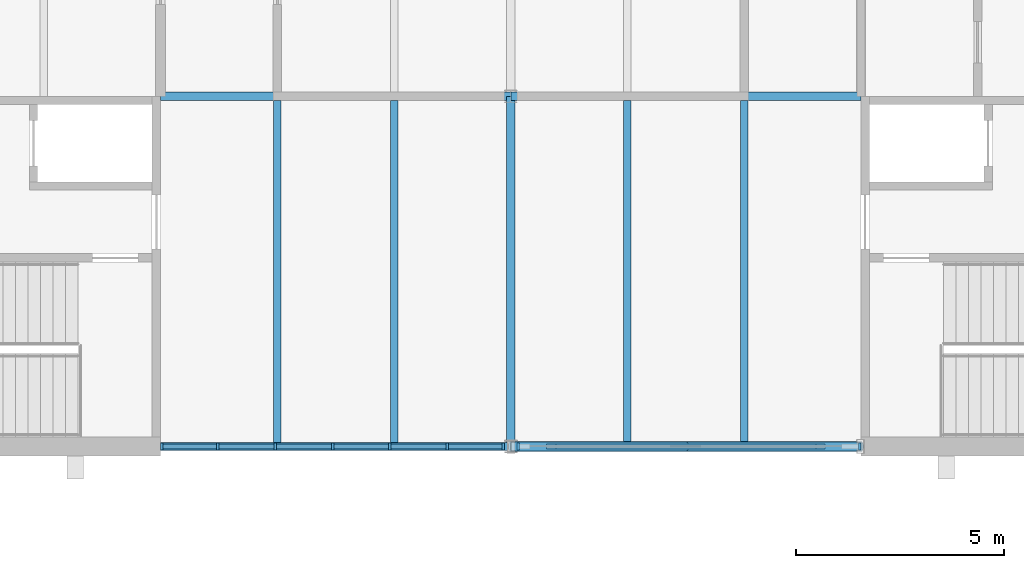
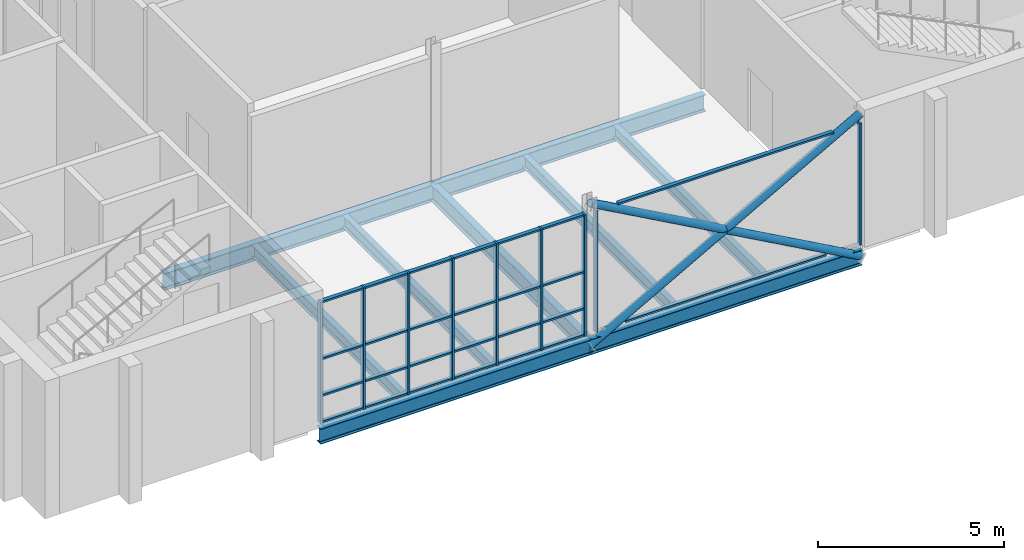
# One storey, part 13 of 129: 38 members, 9 beams, 2 elements without a shape of their own.
"""IFC4 building model written with IfcOpenShell, lengths in metres."""

from ifc_helpers import new_model, si_unit, direction, frame, origin, origin_2d, place, context, subcontext, project, spatial, rectangle, hollow_circle, i_section, extrude, material, layer, layer_set, material_profile, profile_set, type_object, element, aggregate, save


model = new_model("IFC4")

# Units and contexts
model_context = context("Model", 3, precision=1e-05, world=origin(), true_north=direction((0.0, 1.0)))
body_context = subcontext(model_context, "Body", "Model", "MODEL_VIEW")
ifc_project = project(units=[si_unit("LENGTHUNIT", "METRE"), si_unit("AREAUNIT", "SQUARE_METRE"), si_unit("VOLUMEUNIT", "CUBIC_METRE"), si_unit("PLANEANGLEUNIT", "RADIAN"), si_unit("MASSUNIT", "GRAM", prefix="KILO")], contexts=[model_context])

# Site, building, storey
site_placement = place(None, origin())
site = spatial("IfcSite", under=ifc_project, at=site_placement, CompositionType="ELEMENT")
building_placement = place(site_placement, origin())
building = spatial("IfcBuilding", under=site, at=building_placement, Name="Ardhachandra Cancer Care Centre", CompositionType="ELEMENT")
storey_placement = place(building_placement, frame((0.0, 0.0, 4.5)))
storey = spatial("IfcBuildingStorey", under=building, at=storey_placement, Name="L01", CompositionType="ELEMENT", Elevation=4.5)

# Beams
ifc_material_1 = material(Name="Steel E350 (IS 2062)", Category="steel")
ifc_material_profile_1 = material_profile(ifc_material_1, i_section(OverallWidth=0.179931640625, OverallDepth=0.39990234375, WebThickness=0.008544921875, FlangeThickness=0.013427734375, FilletRadius=0.02099609375, at=origin_2d()), Name="NPB 400x180x66.30")
ifc_profile_set_1 = profile_set([ifc_material_profile_1], Name="Steel E350 (IS 2062)")
beam_type_1 = type_object("IfcBeamType", Name="Beam NPB 400x180x66.30", PredefinedType="BEAM", material=ifc_profile_set_1)
for number, where, z_axis, x_axis, name in (
    (1, (22.0, 29.5, -0.35009765625), (0.0, 1.0, 0.0), (-1.0, 0.0, 0.0), "Secondary C2-D2@2800"),
    (2, (24.800048828125, 29.5, -0.35009765625), (0.0, 1.0, 0.0), (-1.0, 0.0, 0.0), "Secondary C2-D2@5600"),
    (3, (30.39990234375, 29.5, -0.35009765625), (0.0, 1.0, 0.0), (-1.0, 0.0, 0.0), "Secondary C3-D3@2800"),
    (4, (33.199951171875, 29.5, -0.35009765625), (0.0, 1.0, 0.0), (-1.0, 0.0, 0.0), "Secondary C3-D3@5600"),
):
    element("IfcBeam", number, at=place(storey_placement, frame(where, z_axis=z_axis, x_axis=x_axis)), inside=storey, type_object=beam_type_1, Name=name, PredefinedType="BEAM", context=body_context, shape_type="SweptSolid", body=[
        extrude(i_section(OverallWidth=0.179931640625, OverallDepth=0.39990234375, WebThickness=0.008544921875, FlangeThickness=0.013427734375, FilletRadius=0.02099609375, at=origin_2d()), origin(), (0.0, 0.0, 1.0), 8.195068359375),
    ])
ifc_material_2 = material(Name="Steel E350 (IS 2062)", Category="steel")
ifc_material_profile_2 = material_profile(ifc_material_2, i_section(OverallWidth=0.199951171875, OverallDepth=0.5, WebThickness=0.01025390625, FlangeThickness=0.01611328125, FilletRadius=0.02099609375, at=origin_2d()), Name="NPB 500x200x90.68")
ifc_profile_set_2 = profile_set([ifc_material_profile_2], Name="Steel E350 (IS 2062)")
beam_type_2 = type_object("IfcBeamType", Name="Beam NPB 500x200x90.68", PredefinedType="BEAM", material=ifc_profile_set_2)
beam_1_placement = place(storey_placement, frame((19.199951171875, 29.39990234375, -0.39990234375), z_axis=(1.0, 0.0, 0.0), x_axis=(0.0, 1.0, 0.0)))
element("IfcBeam", 5, at=beam_1_placement, inside=storey, type_object=beam_type_2, Name="Edge girder C2-C3", PredefinedType="BEAM", context=body_context, shape_type="SweptSolid", body=[
    extrude(i_section(OverallWidth=0.199951171875, OverallDepth=0.5, WebThickness=0.01025390625, FlangeThickness=0.01611328125, FilletRadius=0.02099609375, at=origin_2d()), origin(), (0.0, 0.0, 1.0), 8.400146484375),
])
beam_2_placement = place(storey_placement, frame((27.60009765625, 29.39990234375, -0.39990234375), z_axis=(1.0, 0.0, 0.0), x_axis=(0.0, 1.0, 0.0)))
element("IfcBeam", 6, at=beam_2_placement, inside=storey, type_object=beam_type_2, Name="Edge girder C3-C4", PredefinedType="BEAM", context=body_context, shape_type="SweptSolid", body=[
    extrude(i_section(OverallWidth=0.199951171875, OverallDepth=0.5, WebThickness=0.01025390625, FlangeThickness=0.01611328125, FilletRadius=0.02099609375, at=origin_2d()), origin(), (0.0, 0.0, 1.0), 8.39990234375),
])
ifc_material_3 = material(Name="Steel E350 (IS 2062)", Category="steel")
ifc_material_profile_3 = material_profile(ifc_material_3, i_section(OverallWidth=0.2099609375, OverallDepth=0.550048828125, WebThickness=0.010986328125, FlangeThickness=0.01708984375, FilletRadius=0.02392578125, at=origin_2d()), Name="NPB 550x210x105.52")
ifc_profile_set_3 = profile_set([ifc_material_profile_3], Name="Steel E350 (IS 2062)")
beam_type_3 = type_object("IfcBeamType", Name="Beam NPB 550x210x105.52", PredefinedType="BEAM", material=ifc_profile_set_3)
beam_3_placement = place(storey_placement, frame((19.199951171875, 37.800048828125, -0.425048828125), z_axis=(1.0, 0.0, 0.0), x_axis=(0.0, 1.0, 0.0)))
element("IfcBeam", 7, at=beam_3_placement, inside=storey, type_object=beam_type_3, Name="Girder D2-D3", PredefinedType="BEAM", context=body_context, shape_type="SweptSolid", body=[
    extrude(i_section(OverallWidth=0.2099609375, OverallDepth=0.550048828125, WebThickness=0.010986328125, FlangeThickness=0.01708984375, FilletRadius=0.02392578125, at=origin_2d()), origin(), (0.0, 0.0, 1.0), 8.400146484375),
])
beam_4_placement = place(storey_placement, frame((27.60009765625, 37.800048828125, -0.425048828125), z_axis=(1.0, 0.0, 0.0), x_axis=(0.0, 1.0, 0.0)))
element("IfcBeam", 8, at=beam_4_placement, inside=storey, type_object=beam_type_3, Name="Girder D3-D4", PredefinedType="BEAM", context=body_context, shape_type="SweptSolid", body=[
    extrude(i_section(OverallWidth=0.2099609375, OverallDepth=0.550048828125, WebThickness=0.010986328125, FlangeThickness=0.01708984375, FilletRadius=0.02392578125, at=origin_2d()), origin(), (0.0, 0.0, 1.0), 8.39990234375),
])
beam_5_placement = place(storey_placement, frame((27.60009765625, 29.39990234375, -0.425048828125), z_axis=(0.0, 1.0, 0.0), x_axis=(-1.0, 0.0, 0.0)))
element("IfcBeam", 9, at=beam_5_placement, inside=storey, type_object=beam_type_3, Name="Girder C3-D3", PredefinedType="BEAM", context=body_context, shape_type="SweptSolid", body=[
    extrude(i_section(OverallWidth=0.2099609375, OverallDepth=0.550048828125, WebThickness=0.010986328125, FlangeThickness=0.01708984375, FilletRadius=0.02392578125, at=origin_2d()), origin(), (0.0, 0.0, 1.0), 8.400146484375),
])

# Members
ifc_material_4 = material(Name="Steel E350 (IS 2062)", Category="steel")
ifc_material_profile_4 = material_profile(ifc_material_4, hollow_circle(Radius=0.122314453125, WallThickness=0.010009765625, at=origin_2d()), Name="CHS 244.5x10.0")
ifc_profile_set_4 = profile_set([ifc_material_profile_4], Name="Steel E350 (IS 2062)")
member_type_1 = type_object("IfcMemberType", Name="Brace CHS 244.5x10.0", PredefinedType="BRACE", material=ifc_profile_set_4)
member_1_placement = place(storey_placement, frame((27.60009765625, 29.39990234375, -0.39990234375), z_axis=(0.873924738754, 0.0, 0.486061262594), x_axis=(0.0, 1.0, 0.0)))
element("IfcMember", 10, at=member_1_placement, inside=storey, type_object=member_type_1, Name="Brace V2-X294-276 L01 A", PredefinedType="BRACE", context=body_context, shape_type="SweptSolid", body=[
    extrude(hollow_circle(Radius=0.122314453125, WallThickness=0.010009765625, at=origin_2d()), origin(), (0.0, 0.0, 1.0), 9.61181640625),
])
for number, where, z_axis, x_axis, name in (
    (11, (36.0, 29.39990234375, -0.39990234375), (-0.873924738754, 0.0, 0.486061262594), (0.0, -1.0, 0.0), "Brace V2-X294-276 L01 B1"),
    (12, (31.800048828125, 29.39990234375, 1.93603515625), (-0.873924738754, 0.0, 0.486061262594), (0.0, -1.0, 0.0), "Brace V2-X294-276 L01 B2"),
):
    element("IfcMember", number, at=place(storey_placement, frame(where, z_axis=z_axis, x_axis=x_axis)), inside=storey, type_object=member_type_1, Name=name, PredefinedType="BRACE", context=body_context, shape_type="SweptSolid", body=[
        extrude(hollow_circle(Radius=0.122314453125, WallThickness=0.010009765625, at=origin_2d()), origin(), (0.0, 0.0, 1.0), 4.805908203125),
    ])

# Curtain wall, members
ifc_material_5 = material(Name="Aluminium extrusion", Category="aluminium")
ifc_layer = layer(ifc_material_5, 0.14990234375)
ifc_layer_set = layer_set([ifc_layer], Name="Aluminium extrusion")
curtain_wall_type = type_object("IfcCurtainWallType", Name="Curtain wall run", PredefinedType="NOTDEFINED", material=ifc_layer_set)
curtain_wall_1_placement = place(storey_placement, origin())
curtain_wall_1 = element("IfcCurtainWall", 13, at=curtain_wall_1_placement, inside=storey, type_object=curtain_wall_type, Name="Curtain wall L01 s/0019200_0029400", PredefinedType="NOTDEFINED")
ifc_material_6 = material(Name="Aluminium extrusion", Category="aluminium")
ifc_material_profile_5 = material_profile(ifc_material_6, rectangle(XDim=0.159912109375, YDim=0.06005859375, at=origin_2d()), Name="Curtain wall mullion 60 x 160")
ifc_profile_set_5 = profile_set([ifc_material_profile_5], Name="Aluminium extrusion")
member_type_2 = type_object("IfcMemberType", Name="Curtain wall mullion 60 x 160", PredefinedType="MULLION", material=ifc_profile_set_5)
member_2_placement = place(storey_placement, frame((19.22998046875, 29.39990234375, 0.0), z_axis=(0.0, 0.0, 1.0), x_axis=(0.0, 1.0, 0.0)))
member_2 = element("IfcMember", 14, at=member_2_placement, type_object=member_type_2, Name="CW mullion 1", PredefinedType="MULLION", context=body_context, shape_type="SweptSolid", body=[
    extrude(rectangle(XDim=0.159912109375, YDim=0.06005859375, at=origin_2d()), origin(), (0.0, 0.0, 1.0), 3.993896484375),
])
member_3_placement = place(storey_placement, frame((20.574951171875, 29.39990234375, 0.0), z_axis=(0.0, 0.0, 1.0), x_axis=(0.0, 1.0, 0.0)))
member_3 = element("IfcMember", 15, at=member_3_placement, type_object=member_type_2, Name="CW mullion 2", PredefinedType="MULLION", context=body_context, shape_type="SweptSolid", body=[
    extrude(rectangle(XDim=0.159912109375, YDim=0.06005859375, at=origin_2d()), origin(), (0.0, 0.0, 1.0), 3.993896484375),
])
member_4_placement = place(storey_placement, frame((21.949951171875, 29.39990234375, 0.0), z_axis=(0.0, 0.0, 1.0), x_axis=(0.0, 1.0, 0.0)))
member_4 = element("IfcMember", 16, at=member_4_placement, type_object=member_type_2, Name="CW mullion 3", PredefinedType="MULLION", context=body_context, shape_type="SweptSolid", body=[
    extrude(rectangle(XDim=0.159912109375, YDim=0.06005859375, at=origin_2d()), origin(), (0.0, 0.0, 1.0), 3.993896484375),
])
member_5_placement = place(storey_placement, frame((23.324951171875, 29.39990234375, 0.0), z_axis=(0.0, 0.0, 1.0), x_axis=(0.0, 1.0, 0.0)))
member_5 = element("IfcMember", 17, at=member_5_placement, type_object=member_type_2, Name="CW mullion 4", PredefinedType="MULLION", context=body_context, shape_type="SweptSolid", body=[
    extrude(rectangle(XDim=0.159912109375, YDim=0.06005859375, at=origin_2d()), origin(), (0.0, 0.0, 1.0), 3.993896484375),
])
member_6_placement = place(storey_placement, frame((24.699951171875, 29.39990234375, 0.0), z_axis=(0.0, 0.0, 1.0), x_axis=(0.0, 1.0, 0.0)))
member_6 = element("IfcMember", 18, at=member_6_placement, type_object=member_type_2, Name="CW mullion 5", PredefinedType="MULLION", context=body_context, shape_type="SweptSolid", body=[
    extrude(rectangle(XDim=0.159912109375, YDim=0.06005859375, at=origin_2d()), origin(), (0.0, 0.0, 1.0), 3.993896484375),
])
member_7_placement = place(storey_placement, frame((26.074951171875, 29.39990234375, 0.0), z_axis=(0.0, 0.0, 1.0), x_axis=(0.0, 1.0, 0.0)))
member_7 = element("IfcMember", 19, at=member_7_placement, type_object=member_type_2, Name="CW mullion 6", PredefinedType="MULLION", context=body_context, shape_type="SweptSolid", body=[
    extrude(rectangle(XDim=0.159912109375, YDim=0.06005859375, at=origin_2d()), origin(), (0.0, 0.0, 1.0), 3.993896484375),
])
member_8_placement = place(storey_placement, frame((27.419921875, 29.39990234375, 0.0), z_axis=(0.0, 0.0, 1.0), x_axis=(0.0, 1.0, 0.0)))
member_8 = element("IfcMember", 20, at=member_8_placement, type_object=member_type_2, Name="CW mullion 7", PredefinedType="MULLION", context=body_context, shape_type="SweptSolid", body=[
    extrude(rectangle(XDim=0.159912109375, YDim=0.06005859375, at=origin_2d()), origin(), (0.0, 0.0, 1.0), 3.993896484375),
])

curtain_wall_2_placement = place(storey_placement, origin())
curtain_wall_2 = element("IfcCurtainWall", 21, at=curtain_wall_2_placement, inside=storey, type_object=curtain_wall_type, Name="Curtain wall L01 s/0027600_0029400", PredefinedType="NOTDEFINED")
member_9_placement = place(storey_placement, frame((27.780029296875, 29.39990234375, 0.0), z_axis=(0.0, 0.0, 1.0), x_axis=(0.0, 1.0, 0.0)))
member_9 = element("IfcMember", 22, at=member_9_placement, type_object=member_type_2, Name="CW mullion 1", PredefinedType="MULLION", context=body_context, shape_type="SweptSolid", body=[
    extrude(rectangle(XDim=0.159912109375, YDim=0.06005859375, at=origin_2d()), origin(), (0.0, 0.0, 1.0), 3.993896484375),
])
member_10_placement = place(storey_placement, frame((35.969970703125, 29.39990234375, 0.0), z_axis=(0.0, 0.0, 1.0), x_axis=(0.0, 1.0, 0.0)))
member_10 = element("IfcMember", 23, at=member_10_placement, type_object=member_type_2, Name="CW mullion 2", PredefinedType="MULLION", context=body_context, shape_type="SweptSolid", body=[
    extrude(rectangle(XDim=0.159912109375, YDim=0.06005859375, at=origin_2d()), origin(), (0.0, 0.0, 1.0), 3.993896484375),
])

# Member
ifc_material_7 = material(Name="Aluminium extrusion", Category="aluminium")
ifc_material_profile_6 = material_profile(ifc_material_7, rectangle(XDim=0.1201171875, YDim=0.06005859375, at=origin_2d()), Name="Curtain wall transom 60 x 120")
ifc_profile_set_6 = profile_set([ifc_material_profile_6], Name="Aluminium extrusion")
member_type_3 = type_object("IfcMemberType", Name="Curtain wall transom 60 x 120", PredefinedType="USERDEFINED", material=ifc_profile_set_6)
member_11_placement = place(storey_placement, frame((19.260009765625, 29.39990234375, 0.030029296875), z_axis=(1.0, 0.0, 0.0), x_axis=(0.0, 1.0, 0.0)))
member_11 = element("IfcMember", 24, at=member_11_placement, type_object=member_type_3, Name="CW transom 1.1", ObjectType="TRANSOM", PredefinedType="USERDEFINED", context=body_context, shape_type="SweptSolid", body=[
    extrude(rectangle(XDim=0.1201171875, YDim=0.06005859375, at=origin_2d()), origin(), (0.0, 0.0, 1.0), 1.284912109375),
])

member_12_placement = place(storey_placement, frame((19.260009765625, 29.39990234375, 0.89990234375), z_axis=(1.0, 0.0, 0.0), x_axis=(0.0, 1.0, 0.0)))
member_12 = element("IfcMember", 25, at=member_12_placement, type_object=member_type_3, Name="CW transom 1.2", ObjectType="TRANSOM", PredefinedType="USERDEFINED", context=body_context, shape_type="SweptSolid", body=[
    extrude(rectangle(XDim=0.1201171875, YDim=0.06005859375, at=origin_2d()), origin(), (0.0, 0.0, 1.0), 1.284912109375),
])

member_13_placement = place(storey_placement, frame((19.260009765625, 29.39990234375, 2.10009765625), z_axis=(1.0, 0.0, 0.0), x_axis=(0.0, 1.0, 0.0)))
member_13 = element("IfcMember", 26, at=member_13_placement, type_object=member_type_3, Name="CW transom 1.3", ObjectType="TRANSOM", PredefinedType="USERDEFINED", context=body_context, shape_type="SweptSolid", body=[
    extrude(rectangle(XDim=0.1201171875, YDim=0.06005859375, at=origin_2d()), origin(), (0.0, 0.0, 1.0), 1.284912109375),
])

member_14_placement = place(storey_placement, frame((19.260009765625, 29.39990234375, 3.964111328125), z_axis=(1.0, 0.0, 0.0), x_axis=(0.0, 1.0, 0.0)))
member_14 = element("IfcMember", 27, at=member_14_placement, type_object=member_type_3, Name="CW transom 1.4", ObjectType="TRANSOM", PredefinedType="USERDEFINED", context=body_context, shape_type="SweptSolid", body=[
    extrude(rectangle(XDim=0.1201171875, YDim=0.06005859375, at=origin_2d()), origin(), (0.0, 0.0, 1.0), 1.284912109375),
])

member_15_placement = place(storey_placement, frame((20.60498046875, 29.39990234375, 0.030029296875), z_axis=(1.0, 0.0, 0.0), x_axis=(0.0, 1.0, 0.0)))
member_15 = element("IfcMember", 28, at=member_15_placement, type_object=member_type_3, Name="CW transom 2.1", ObjectType="TRANSOM", PredefinedType="USERDEFINED", context=body_context, shape_type="SweptSolid", body=[
    extrude(rectangle(XDim=0.1201171875, YDim=0.06005859375, at=origin_2d()), origin(), (0.0, 0.0, 1.0), 1.31494140625),
])

member_16_placement = place(storey_placement, frame((20.60498046875, 29.39990234375, 0.89990234375), z_axis=(1.0, 0.0, 0.0), x_axis=(0.0, 1.0, 0.0)))
member_16 = element("IfcMember", 29, at=member_16_placement, type_object=member_type_3, Name="CW transom 2.2", ObjectType="TRANSOM", PredefinedType="USERDEFINED", context=body_context, shape_type="SweptSolid", body=[
    extrude(rectangle(XDim=0.1201171875, YDim=0.06005859375, at=origin_2d()), origin(), (0.0, 0.0, 1.0), 1.31494140625),
])

member_17_placement = place(storey_placement, frame((20.60498046875, 29.39990234375, 2.10009765625), z_axis=(1.0, 0.0, 0.0), x_axis=(0.0, 1.0, 0.0)))
member_17 = element("IfcMember", 30, at=member_17_placement, type_object=member_type_3, Name="CW transom 2.3", ObjectType="TRANSOM", PredefinedType="USERDEFINED", context=body_context, shape_type="SweptSolid", body=[
    extrude(rectangle(XDim=0.1201171875, YDim=0.06005859375, at=origin_2d()), origin(), (0.0, 0.0, 1.0), 1.31494140625),
])

member_18_placement = place(storey_placement, frame((20.60498046875, 29.39990234375, 3.964111328125), z_axis=(1.0, 0.0, 0.0), x_axis=(0.0, 1.0, 0.0)))
member_18 = element("IfcMember", 31, at=member_18_placement, type_object=member_type_3, Name="CW transom 2.4", ObjectType="TRANSOM", PredefinedType="USERDEFINED", context=body_context, shape_type="SweptSolid", body=[
    extrude(rectangle(XDim=0.1201171875, YDim=0.06005859375, at=origin_2d()), origin(), (0.0, 0.0, 1.0), 1.31494140625),
])

member_19_placement = place(storey_placement, frame((21.97998046875, 29.39990234375, 0.030029296875), z_axis=(1.0, 0.0, 0.0), x_axis=(0.0, 1.0, 0.0)))
member_19 = element("IfcMember", 32, at=member_19_placement, type_object=member_type_3, Name="CW transom 3.1", ObjectType="TRANSOM", PredefinedType="USERDEFINED", context=body_context, shape_type="SweptSolid", body=[
    extrude(rectangle(XDim=0.1201171875, YDim=0.06005859375, at=origin_2d()), origin(), (0.0, 0.0, 1.0), 1.31494140625),
])

member_20_placement = place(storey_placement, frame((21.97998046875, 29.39990234375, 0.89990234375), z_axis=(1.0, 0.0, 0.0), x_axis=(0.0, 1.0, 0.0)))
member_20 = element("IfcMember", 33, at=member_20_placement, type_object=member_type_3, Name="CW transom 3.2", ObjectType="TRANSOM", PredefinedType="USERDEFINED", context=body_context, shape_type="SweptSolid", body=[
    extrude(rectangle(XDim=0.1201171875, YDim=0.06005859375, at=origin_2d()), origin(), (0.0, 0.0, 1.0), 1.31494140625),
])

member_21_placement = place(storey_placement, frame((21.97998046875, 29.39990234375, 2.10009765625), z_axis=(1.0, 0.0, 0.0), x_axis=(0.0, 1.0, 0.0)))
member_21 = element("IfcMember", 34, at=member_21_placement, type_object=member_type_3, Name="CW transom 3.3", ObjectType="TRANSOM", PredefinedType="USERDEFINED", context=body_context, shape_type="SweptSolid", body=[
    extrude(rectangle(XDim=0.1201171875, YDim=0.06005859375, at=origin_2d()), origin(), (0.0, 0.0, 1.0), 1.31494140625),
])

member_22_placement = place(storey_placement, frame((21.97998046875, 29.39990234375, 3.964111328125), z_axis=(1.0, 0.0, 0.0), x_axis=(0.0, 1.0, 0.0)))
member_22 = element("IfcMember", 35, at=member_22_placement, type_object=member_type_3, Name="CW transom 3.4", ObjectType="TRANSOM", PredefinedType="USERDEFINED", context=body_context, shape_type="SweptSolid", body=[
    extrude(rectangle(XDim=0.1201171875, YDim=0.06005859375, at=origin_2d()), origin(), (0.0, 0.0, 1.0), 1.31494140625),
])

member_23_placement = place(storey_placement, frame((23.35498046875, 29.39990234375, 0.030029296875), z_axis=(1.0, 0.0, 0.0), x_axis=(0.0, 1.0, 0.0)))
member_23 = element("IfcMember", 36, at=member_23_placement, type_object=member_type_3, Name="CW transom 4.1", ObjectType="TRANSOM", PredefinedType="USERDEFINED", context=body_context, shape_type="SweptSolid", body=[
    extrude(rectangle(XDim=0.1201171875, YDim=0.06005859375, at=origin_2d()), origin(), (0.0, 0.0, 1.0), 1.31494140625),
])

member_24_placement = place(storey_placement, frame((23.35498046875, 29.39990234375, 0.89990234375), z_axis=(1.0, 0.0, 0.0), x_axis=(0.0, 1.0, 0.0)))
member_24 = element("IfcMember", 37, at=member_24_placement, type_object=member_type_3, Name="CW transom 4.2", ObjectType="TRANSOM", PredefinedType="USERDEFINED", context=body_context, shape_type="SweptSolid", body=[
    extrude(rectangle(XDim=0.1201171875, YDim=0.06005859375, at=origin_2d()), origin(), (0.0, 0.0, 1.0), 1.31494140625),
])

member_25_placement = place(storey_placement, frame((23.35498046875, 29.39990234375, 2.10009765625), z_axis=(1.0, 0.0, 0.0), x_axis=(0.0, 1.0, 0.0)))
member_25 = element("IfcMember", 38, at=member_25_placement, type_object=member_type_3, Name="CW transom 4.3", ObjectType="TRANSOM", PredefinedType="USERDEFINED", context=body_context, shape_type="SweptSolid", body=[
    extrude(rectangle(XDim=0.1201171875, YDim=0.06005859375, at=origin_2d()), origin(), (0.0, 0.0, 1.0), 1.31494140625),
])

member_26_placement = place(storey_placement, frame((23.35498046875, 29.39990234375, 3.964111328125), z_axis=(1.0, 0.0, 0.0), x_axis=(0.0, 1.0, 0.0)))
member_26 = element("IfcMember", 39, at=member_26_placement, type_object=member_type_3, Name="CW transom 4.4", ObjectType="TRANSOM", PredefinedType="USERDEFINED", context=body_context, shape_type="SweptSolid", body=[
    extrude(rectangle(XDim=0.1201171875, YDim=0.06005859375, at=origin_2d()), origin(), (0.0, 0.0, 1.0), 1.31494140625),
])

member_27_placement = place(storey_placement, frame((24.72998046875, 29.39990234375, 0.030029296875), z_axis=(1.0, 0.0, 0.0), x_axis=(0.0, 1.0, 0.0)))
member_27 = element("IfcMember", 40, at=member_27_placement, type_object=member_type_3, Name="CW transom 5.1", ObjectType="TRANSOM", PredefinedType="USERDEFINED", context=body_context, shape_type="SweptSolid", body=[
    extrude(rectangle(XDim=0.1201171875, YDim=0.06005859375, at=origin_2d()), origin(), (0.0, 0.0, 1.0), 1.31494140625),
])

member_28_placement = place(storey_placement, frame((24.72998046875, 29.39990234375, 0.89990234375), z_axis=(1.0, 0.0, 0.0), x_axis=(0.0, 1.0, 0.0)))
member_28 = element("IfcMember", 41, at=member_28_placement, type_object=member_type_3, Name="CW transom 5.2", ObjectType="TRANSOM", PredefinedType="USERDEFINED", context=body_context, shape_type="SweptSolid", body=[
    extrude(rectangle(XDim=0.1201171875, YDim=0.06005859375, at=origin_2d()), origin(), (0.0, 0.0, 1.0), 1.31494140625),
])

member_29_placement = place(storey_placement, frame((24.72998046875, 29.39990234375, 2.10009765625), z_axis=(1.0, 0.0, 0.0), x_axis=(0.0, 1.0, 0.0)))
member_29 = element("IfcMember", 42, at=member_29_placement, type_object=member_type_3, Name="CW transom 5.3", ObjectType="TRANSOM", PredefinedType="USERDEFINED", context=body_context, shape_type="SweptSolid", body=[
    extrude(rectangle(XDim=0.1201171875, YDim=0.06005859375, at=origin_2d()), origin(), (0.0, 0.0, 1.0), 1.31494140625),
])

member_30_placement = place(storey_placement, frame((24.72998046875, 29.39990234375, 3.964111328125), z_axis=(1.0, 0.0, 0.0), x_axis=(0.0, 1.0, 0.0)))
member_30 = element("IfcMember", 43, at=member_30_placement, type_object=member_type_3, Name="CW transom 5.4", ObjectType="TRANSOM", PredefinedType="USERDEFINED", context=body_context, shape_type="SweptSolid", body=[
    extrude(rectangle(XDim=0.1201171875, YDim=0.06005859375, at=origin_2d()), origin(), (0.0, 0.0, 1.0), 1.31494140625),
])

member_31_placement = place(storey_placement, frame((26.10498046875, 29.39990234375, 0.030029296875), z_axis=(1.0, 0.0, 0.0), x_axis=(0.0, 1.0, 0.0)))
member_31 = element("IfcMember", 44, at=member_31_placement, type_object=member_type_3, Name="CW transom 6.1", ObjectType="TRANSOM", PredefinedType="USERDEFINED", context=body_context, shape_type="SweptSolid", body=[
    extrude(rectangle(XDim=0.1201171875, YDim=0.06005859375, at=origin_2d()), origin(), (0.0, 0.0, 1.0), 1.284912109375),
])

member_32_placement = place(storey_placement, frame((26.10498046875, 29.39990234375, 0.89990234375), z_axis=(1.0, 0.0, 0.0), x_axis=(0.0, 1.0, 0.0)))
member_32 = element("IfcMember", 45, at=member_32_placement, type_object=member_type_3, Name="CW transom 6.2", ObjectType="TRANSOM", PredefinedType="USERDEFINED", context=body_context, shape_type="SweptSolid", body=[
    extrude(rectangle(XDim=0.1201171875, YDim=0.06005859375, at=origin_2d()), origin(), (0.0, 0.0, 1.0), 1.284912109375),
])

member_33_placement = place(storey_placement, frame((26.10498046875, 29.39990234375, 2.10009765625), z_axis=(1.0, 0.0, 0.0), x_axis=(0.0, 1.0, 0.0)))
member_33 = element("IfcMember", 46, at=member_33_placement, type_object=member_type_3, Name="CW transom 6.3", ObjectType="TRANSOM", PredefinedType="USERDEFINED", context=body_context, shape_type="SweptSolid", body=[
    extrude(rectangle(XDim=0.1201171875, YDim=0.06005859375, at=origin_2d()), origin(), (0.0, 0.0, 1.0), 1.284912109375),
])

member_34_placement = place(storey_placement, frame((26.10498046875, 29.39990234375, 3.964111328125), z_axis=(1.0, 0.0, 0.0), x_axis=(0.0, 1.0, 0.0)))
member_34 = element("IfcMember", 47, at=member_34_placement, type_object=member_type_3, Name="CW transom 6.4", ObjectType="TRANSOM", PredefinedType="USERDEFINED", context=body_context, shape_type="SweptSolid", body=[
    extrude(rectangle(XDim=0.1201171875, YDim=0.06005859375, at=origin_2d()), origin(), (0.0, 0.0, 1.0), 1.284912109375),
])

aggregate(curtain_wall_1, [member_2, member_3, member_4, member_5, member_6, member_7, member_8, member_11, member_12, member_13, member_14, member_15, member_16, member_17, member_18, member_19, member_20, member_21, member_22, member_23, member_24, member_25, member_26, member_27, member_28, member_29, member_30, member_31, member_32, member_33, member_34])

member_35_placement = place(storey_placement, frame((28.6806640625, 29.39990234375, 0.030029296875), z_axis=(1.0, 0.0, 0.0), x_axis=(0.0, 1.0, 0.0)))
member_35 = element("IfcMember", 48, at=member_35_placement, type_object=member_type_3, Name="CW transom 1.1", ObjectType="TRANSOM", PredefinedType="USERDEFINED", context=body_context, shape_type="SweptSolid", body=[
    extrude(rectangle(XDim=0.1201171875, YDim=0.06005859375, at=origin_2d()), origin(), (0.0, 0.0, 1.0), 6.238525390625),
])

member_36_placement = place(storey_placement, frame((28.46142578125, 29.39990234375, 3.964111328125), z_axis=(1.0, 0.0, 0.0), x_axis=(0.0, 1.0, 0.0)))
member_36 = element("IfcMember", 49, at=member_36_placement, type_object=member_type_3, Name="CW transom 1.2", ObjectType="TRANSOM", PredefinedType="USERDEFINED", context=body_context, shape_type="SweptSolid", body=[
    extrude(rectangle(XDim=0.1201171875, YDim=0.06005859375, at=origin_2d()), origin(), (0.0, 0.0, 1.0), 6.67724609375),
])

aggregate(curtain_wall_2, [member_9, member_10, member_35, member_36])

save(model, "model.ifc")
